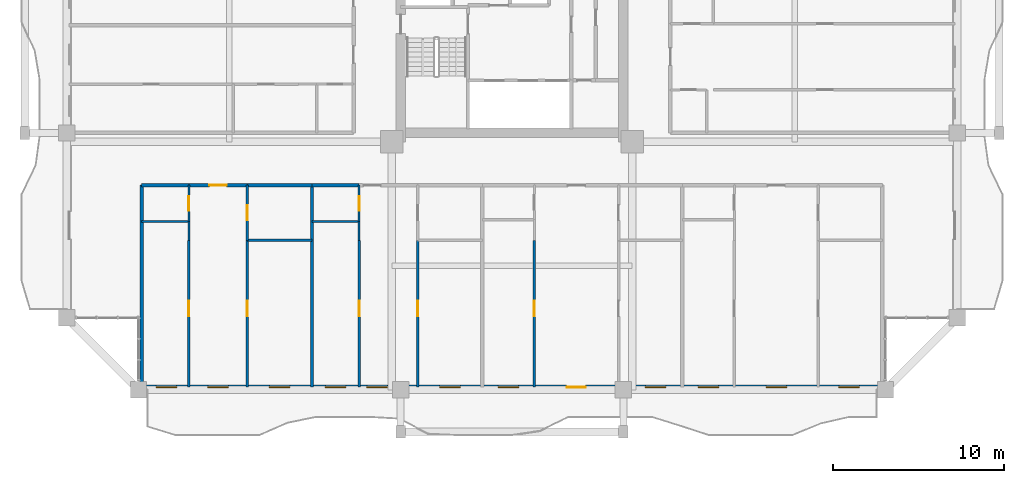
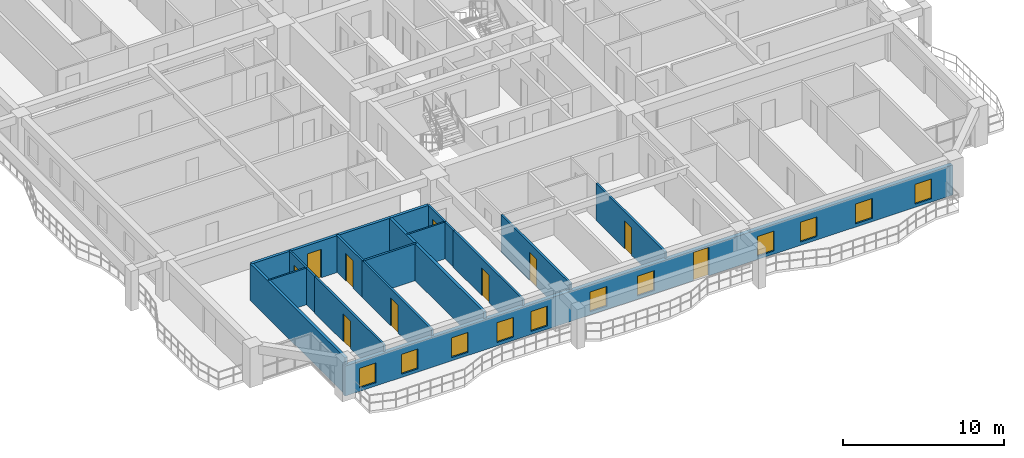
# One storey, part 14 of 26: 20 walls, 11 windows, 10 doors, 21 openings.
"""IFC4 building model written with IfcOpenShell, lengths in metres."""

from ifc_helpers import new_model, si_unit, direction, frame, frame_2d, origin, place, context, subcontext, project, spatial, rectangle, extrude, source, transform, mapped, material, layer, layer_set, type_object, element, fill, save


model = new_model("IFC4")

# Units and contexts
model_context = context("Model", 3, precision=1e-05, world=origin(), true_north=direction((0.0, 1.0)))
body_context = subcontext(model_context, "Body", "Model", "MODEL_VIEW")
ifc_project = project(units=[si_unit("LENGTHUNIT", "METRE"), si_unit("AREAUNIT", "SQUARE_METRE"), si_unit("VOLUMEUNIT", "CUBIC_METRE"), si_unit("PLANEANGLEUNIT", "RADIAN"), si_unit("MASSUNIT", "GRAM", prefix="KILO")], contexts=[model_context])

# Site, building, storey
site_placement = place(None, origin())
site = spatial("IfcSite", under=ifc_project, at=site_placement, CompositionType="ELEMENT")
building_placement = place(site_placement, origin())
building = spatial("IfcBuilding", under=site, at=building_placement, Name="Saelheon Loggia Tower", CompositionType="ELEMENT")
storey_placement = place(building_placement, frame((0.0, 0.0, 89.85009765625)))
storey = spatial("IfcBuildingStorey", under=building, at=storey_placement, Name="L28", CompositionType="ELEMENT", Elevation=89.85009765625)

# Wall, openings, windows, door
ifc_material_1 = material(Name="Architectural Precast Concrete C40/50", Category="concrete")
ifc_layer_1 = layer(ifc_material_1, 0.280029296875)
ifc_layer_set_1 = layer_set([ifc_layer_1], Name="Architectural Precast Concrete C40/50")
wall_type_1 = type_object("IfcWallType", Name="Wall_Ext_Loggia_280", PredefinedType="SOLIDWALL", material=ifc_layer_set_1)
wall_1_placement = place(storey_placement, frame((16.199951171875, 3.139892578125, 0.0), z_axis=(0.0, 0.0, 1.0), x_axis=(1.0, 0.0, 0.0)))
wall_1 = element("IfcWall", 1, at=wall_1_placement, inside=storey, type_object=wall_type_1, Name="L28 South Loggia Inner Wall", PredefinedType="SOLIDWALL", context=body_context, shape_type="SweptSolid", body=[
    extrude(rectangle(XDim=43.60009765625, YDim=0.280029296875, at=frame_2d((21.800048828125, 0.0))), origin(), (0.0, 0.0, 1.0), 2.27978515625),
])
opening_1_placement = place(wall_1_placement, frame((1.0224609375, 0.0, 0.25)))
opening_1 = element("IfcOpeningElement", 2, at=opening_1_placement, cuts=wall_1, Name="Opening WN-03", PredefinedType="OPENING", context=body_context, shape_type="SweptSolid", body=[
    extrude(rectangle(XDim=1.199951171875, YDim=1.5, at=frame_2d((0.60009765625, 0.75))), frame((0.0, 0.152099609375, 0.0), z_axis=(0.0, -1.0, 0.0), x_axis=(1.0, 0.0, 0.0)), (0.0, 0.0, 1.0), 0.303955078125),
])
opening_2_placement = place(wall_1_placement, frame((4.0380859375, 0.0, 0.25)))
opening_2 = element("IfcOpeningElement", 3, at=opening_2_placement, cuts=wall_1, Name="Opening WN-03", PredefinedType="OPENING", context=body_context, shape_type="SweptSolid", body=[
    extrude(rectangle(XDim=1.199951171875, YDim=1.5, at=frame_2d((0.60009765625, 0.75))), frame((0.0, 0.152099609375, 0.0), z_axis=(0.0, -1.0, 0.0), x_axis=(1.0, 0.0, 0.0)), (0.0, 0.0, 1.0), 0.303955078125),
])
opening_3_placement = place(wall_1_placement, frame((7.635498046875, 0.0, 0.25)))
opening_3 = element("IfcOpeningElement", 4, at=opening_3_placement, cuts=wall_1, Name="Opening WN-03", PredefinedType="OPENING", context=body_context, shape_type="SweptSolid", body=[
    extrude(rectangle(XDim=1.199951171875, YDim=1.5, at=frame_2d((0.60009765625, 0.75))), frame((0.0, 0.152099609375, 0.0), z_axis=(0.0, -1.0, 0.0), x_axis=(1.0, 0.0, 0.0)), (0.0, 0.0, 1.0), 0.303955078125),
])
opening_4_placement = place(wall_1_placement, frame((10.900146484375, 0.0, 0.25)))
opening_4 = element("IfcOpeningElement", 5, at=opening_4_placement, cuts=wall_1, Name="Opening WN-03", PredefinedType="OPENING", context=body_context, shape_type="SweptSolid", body=[
    extrude(rectangle(XDim=1.199951171875, YDim=1.5, at=frame_2d((0.60009765625, 0.75))), frame((0.0, 0.152099609375, 0.0), z_axis=(0.0, -1.0, 0.0), x_axis=(1.0, 0.0, 0.0)), (0.0, 0.0, 1.0), 0.303955078125),
])
opening_5_placement = place(wall_1_placement, frame((13.330078125, 0.0, 0.25)))
opening_5 = element("IfcOpeningElement", 6, at=opening_5_placement, cuts=wall_1, Name="Opening WN-03", PredefinedType="OPENING", context=body_context, shape_type="SweptSolid", body=[
    extrude(rectangle(XDim=1.199951171875, YDim=1.5, at=frame_2d((0.60009765625, 0.75))), frame((0.0, 0.152099609375, 0.0), z_axis=(0.0, -1.0, 0.0), x_axis=(1.0, 0.0, 0.0)), (0.0, 0.0, 1.0), 0.303955078125),
])
opening_6_placement = place(wall_1_placement, frame((17.580810546875, 0.0, 0.25)))
opening_6 = element("IfcOpeningElement", 7, at=opening_6_placement, cuts=wall_1, Name="Opening WN-03", PredefinedType="OPENING", context=body_context, shape_type="SweptSolid", body=[
    extrude(rectangle(XDim=1.199951171875, YDim=1.5, at=frame_2d((0.60009765625, 0.75))), frame((0.0, 0.152099609375, 0.0), z_axis=(0.0, -1.0, 0.0), x_axis=(1.0, 0.0, 0.0)), (0.0, 0.0, 1.0), 0.303955078125),
])
opening_7_placement = place(wall_1_placement, frame((20.988037109375, 0.0, 0.25)))
opening_7 = element("IfcOpeningElement", 8, at=opening_7_placement, cuts=wall_1, Name="Opening WN-03", PredefinedType="OPENING", context=body_context, shape_type="SweptSolid", body=[
    extrude(rectangle(XDim=1.199951171875, YDim=1.5, at=frame_2d((0.60009765625, 0.75))), frame((0.0, 0.152099609375, 0.0), z_axis=(0.0, -1.0, 0.0), x_axis=(1.0, 0.0, 0.0)), (0.0, 0.0, 1.0), 0.303955078125),
])
opening_8_placement = place(wall_1_placement, frame((26.095458984375, 0.0, 0.0), z_axis=(0.0, 0.0, 1.0), x_axis=(-1.0, 0.0, 0.0)))
opening_8 = element("IfcOpeningElement", 9, at=opening_8_placement, cuts=wall_1, Name="Opening TD1", PredefinedType="OPENING", context=body_context, shape_type="SweptSolid", body=[
    extrude(rectangle(XDim=1.10009765625, YDim=2.14990234375, at=frame_2d((0.550048828125, 1.074951171875))), frame((0.0, 0.152099609375, 0.0), z_axis=(0.0, -1.0, 0.0), x_axis=(1.0, 0.0, 0.0)), (0.0, 0.0, 1.0), 0.303955078125),
])
opening_9_placement = place(wall_1_placement, frame((29.580078125, 0.0, 0.25)))
opening_9 = element("IfcOpeningElement", 10, at=opening_9_placement, cuts=wall_1, Name="Opening WN-03", PredefinedType="OPENING", context=body_context, shape_type="SweptSolid", body=[
    extrude(rectangle(XDim=1.199951171875, YDim=1.5, at=frame_2d((0.60009765625, 0.75))), frame((0.0, 0.152099609375, 0.0), z_axis=(0.0, -1.0, 0.0), x_axis=(1.0, 0.0, 0.0)), (0.0, 0.0, 1.0), 0.303955078125),
])
opening_10_placement = place(wall_1_placement, frame((32.662841796875, 0.0, 0.25)))
opening_10 = element("IfcOpeningElement", 11, at=opening_10_placement, cuts=wall_1, Name="Opening WN-03", PredefinedType="OPENING", context=body_context, shape_type="SweptSolid", body=[
    extrude(rectangle(XDim=1.199951171875, YDim=1.5, at=frame_2d((0.60009765625, 0.75))), frame((0.0, 0.152099609375, 0.0), z_axis=(0.0, -1.0, 0.0), x_axis=(1.0, 0.0, 0.0)), (0.0, 0.0, 1.0), 0.303955078125),
])
opening_11_placement = place(wall_1_placement, frame((36.63232421875, 0.0, 0.25)))
opening_11 = element("IfcOpeningElement", 12, at=opening_11_placement, cuts=wall_1, Name="Opening WN-03", PredefinedType="OPENING", context=body_context, shape_type="SweptSolid", body=[
    extrude(rectangle(XDim=1.199951171875, YDim=1.5, at=frame_2d((0.60009765625, 0.75))), frame((0.0, 0.152099609375, 0.0), z_axis=(0.0, -1.0, 0.0), x_axis=(1.0, 0.0, 0.0)), (0.0, 0.0, 1.0), 0.303955078125),
])
opening_12_placement = place(wall_1_placement, frame((40.884521484375, 0.0, 0.25)))
opening_12 = element("IfcOpeningElement", 13, at=opening_12_placement, cuts=wall_1, Name="Opening WN-03", PredefinedType="OPENING", context=body_context, shape_type="SweptSolid", body=[
    extrude(rectangle(XDim=1.199951171875, YDim=1.5, at=frame_2d((0.60009765625, 0.75))), frame((0.0, 0.152099609375, 0.0), z_axis=(0.0, -1.0, 0.0), x_axis=(1.0, 0.0, 0.0)), (0.0, 0.0, 1.0), 0.303955078125),
])
ifc_material_2 = material(Name="Thermal-Break Aluminium and Triple Low-E Glass", Category="aluminium")
window_type = type_object("IfcWindowType", Name="Win_Bedroom_1200x1500", PartitioningType="SINGLE_PANEL", PredefinedType="WINDOW", material=ifc_material_2)
shared_shape_1 = source(origin(), body_context, "Body", "SweptSolid", [
    extrude(rectangle(XDim=1.199951171875, YDim=1.5, at=frame_2d((0.60009765625, 0.75))), frame((0.0, 0.030029296875, 0.0), z_axis=(0.0, -1.0, 0.0), x_axis=(1.0, 0.0, 0.0)), (0.0, 0.0, 1.0), 0.06005859375),
])
window_1_placement = place(opening_1_placement, origin())
window_1 = element("IfcWindow", 14, at=window_1_placement, inside=storey, type_object=window_type, Name="L28 S Dwelling Window 1", OverallHeight=1.5, OverallWidth=1.199951171875, PartitioningType="SINGLE_PANEL", PredefinedType="WINDOW", context=body_context, shape_type="MappedRepresentation", body=[
    mapped(shared_shape_1, transform((0.0, 0.0, 0.0), scale=1.0)),
])
fill(opening_1, window_1)
window_2_placement = place(opening_2_placement, origin())
window_2 = element("IfcWindow", 15, at=window_2_placement, inside=storey, type_object=window_type, Name="L28 S Dwelling Window 2", OverallHeight=1.5, OverallWidth=1.199951171875, PartitioningType="SINGLE_PANEL", PredefinedType="WINDOW", context=body_context, shape_type="MappedRepresentation", body=[
    mapped(shared_shape_1, transform((0.0, 0.0, 0.0), scale=1.0)),
])
fill(opening_2, window_2)
window_3_placement = place(opening_3_placement, origin())
window_3 = element("IfcWindow", 16, at=window_3_placement, inside=storey, type_object=window_type, Name="L28 S Dwelling Window 3", OverallHeight=1.5, OverallWidth=1.199951171875, PartitioningType="SINGLE_PANEL", PredefinedType="WINDOW", context=body_context, shape_type="MappedRepresentation", body=[
    mapped(shared_shape_1, transform((0.0, 0.0, 0.0), scale=1.0)),
])
fill(opening_3, window_3)
window_4_placement = place(opening_4_placement, origin())
window_4 = element("IfcWindow", 17, at=window_4_placement, inside=storey, type_object=window_type, Name="L28 S Dwelling Window 4", OverallHeight=1.5, OverallWidth=1.199951171875, PartitioningType="SINGLE_PANEL", PredefinedType="WINDOW", context=body_context, shape_type="MappedRepresentation", body=[
    mapped(shared_shape_1, transform((0.0, 0.0, 0.0), scale=1.0)),
])
fill(opening_4, window_4)
window_5_placement = place(opening_5_placement, origin())
window_5 = element("IfcWindow", 18, at=window_5_placement, inside=storey, type_object=window_type, Name="L28 S Dwelling Window 5", OverallHeight=1.5, OverallWidth=1.199951171875, PartitioningType="SINGLE_PANEL", PredefinedType="WINDOW", context=body_context, shape_type="MappedRepresentation", body=[
    mapped(shared_shape_1, transform((0.0, 0.0, 0.0), scale=1.0)),
])
fill(opening_5, window_5)
window_6_placement = place(opening_6_placement, origin())
window_6 = element("IfcWindow", 19, at=window_6_placement, inside=storey, type_object=window_type, Name="L28 S Dwelling Window 6", OverallHeight=1.5, OverallWidth=1.199951171875, PartitioningType="SINGLE_PANEL", PredefinedType="WINDOW", context=body_context, shape_type="MappedRepresentation", body=[
    mapped(shared_shape_1, transform((0.0, 0.0, 0.0), scale=1.0)),
])
fill(opening_6, window_6)
window_7_placement = place(opening_7_placement, origin())
window_7 = element("IfcWindow", 20, at=window_7_placement, inside=storey, type_object=window_type, Name="L28 S Dwelling Window 7", OverallHeight=1.5, OverallWidth=1.199951171875, PartitioningType="SINGLE_PANEL", PredefinedType="WINDOW", context=body_context, shape_type="MappedRepresentation", body=[
    mapped(shared_shape_1, transform((0.0, 0.0, 0.0), scale=1.0)),
])
fill(opening_7, window_7)
window_8_placement = place(opening_9_placement, origin())
window_8 = element("IfcWindow", 21, at=window_8_placement, inside=storey, type_object=window_type, Name="L28 S Dwelling Window 9", OverallHeight=1.5, OverallWidth=1.199951171875, PartitioningType="SINGLE_PANEL", PredefinedType="WINDOW", context=body_context, shape_type="MappedRepresentation", body=[
    mapped(shared_shape_1, transform((0.0, 0.0, 0.0), scale=1.0)),
])
fill(opening_9, window_8)
window_9_placement = place(opening_10_placement, origin())
window_9 = element("IfcWindow", 22, at=window_9_placement, inside=storey, type_object=window_type, Name="L28 S Dwelling Window 10", OverallHeight=1.5, OverallWidth=1.199951171875, PartitioningType="SINGLE_PANEL", PredefinedType="WINDOW", context=body_context, shape_type="MappedRepresentation", body=[
    mapped(shared_shape_1, transform((0.0, 0.0, 0.0), scale=1.0)),
])
fill(opening_10, window_9)
window_10_placement = place(opening_11_placement, origin())
window_10 = element("IfcWindow", 23, at=window_10_placement, inside=storey, type_object=window_type, Name="L28 S Dwelling Window 11", OverallHeight=1.5, OverallWidth=1.199951171875, PartitioningType="SINGLE_PANEL", PredefinedType="WINDOW", context=body_context, shape_type="MappedRepresentation", body=[
    mapped(shared_shape_1, transform((0.0, 0.0, 0.0), scale=1.0)),
])
fill(opening_11, window_10)
window_11_placement = place(opening_12_placement, origin())
window_11 = element("IfcWindow", 24, at=window_11_placement, inside=storey, type_object=window_type, Name="L28 S Dwelling Window 12", OverallHeight=1.5, OverallWidth=1.199951171875, PartitioningType="SINGLE_PANEL", PredefinedType="WINDOW", context=body_context, shape_type="MappedRepresentation", body=[
    mapped(shared_shape_1, transform((0.0, 0.0, 0.0), scale=1.0)),
])
fill(opening_12, window_11)
ifc_material_3 = material(Name="Thermal-Break Aluminium Glazed Door", Category="aluminium")
door_type_1 = type_object("IfcDoorType", Name="Door_Terrace_TD1", OperationType="NOTDEFINED", PredefinedType="DOOR", material=ifc_material_3)
shared_shape_2 = source(origin(), body_context, "Body", "SweptSolid", [
    extrude(rectangle(XDim=1.10009765625, YDim=2.14990234375, at=frame_2d((0.550048828125, 1.074951171875))), frame((0.0, 0.02490234375, 0.0), z_axis=(0.0, -1.0, 0.0), x_axis=(1.0, 0.0, 0.0)), (0.0, 0.0, 1.0), 0.050048828125),
])
door_1_placement = place(opening_8_placement, origin())
door_1 = element("IfcDoor", 25, at=door_1_placement, inside=storey, type_object=door_type_1, Name="L28 S Loggia Access Door", OperationType="SINGLE_SWING_RIGHT", OverallHeight=2.14990234375, OverallWidth=1.10009765625, PredefinedType="DOOR", context=body_context, shape_type="MappedRepresentation", body=[
    mapped(shared_shape_2, transform((0.0, 0.0, 0.0), scale=1.0)),
])
fill(opening_8, door_1)

# Wall
ifc_material_4 = material(Name="Lightweight Autoclaved Aerated Concrete Block and Acoustic Gypsum", Category="concrete")
ifc_layer_2 = layer(ifc_material_4, 0.14990234375)
ifc_layer_set_2 = layer_set([ifc_layer_2], Name="Lightweight Autoclaved Aerated Concrete Block and Acoustic Gypsum")
wall_type_2 = type_object("IfcWallType", Name="Wall_Part_150", PredefinedType="PARTITIONING", material=ifc_layer_set_2)
wall_2_placement = place(storey_placement, frame((22.5458984375, 11.72998046875, 0.0), z_axis=(0.0, 0.0, 1.0), x_axis=(1.0, 0.0, 0.0)))
element("IfcWall", 26, at=wall_2_placement, inside=storey, type_object=wall_type_2, Name="L28 S Partition V07", PredefinedType="PARTITIONING", context=body_context, shape_type="SweptSolid", body=[
    extrude(rectangle(XDim=3.779296875, YDim=0.14990234375, at=frame_2d((1.8896484375, 0.0))), origin(), (0.0, 0.0, 1.0), 2.789794921875),
])

# Wall, opening, door
wall_3_placement = place(storey_placement, frame((19.1298828125, 11.72998046875, 0.0), z_axis=(0.0, 0.0, 1.0), x_axis=(0.0, -1.0, 0.0)))
wall_3 = element("IfcWall", 27, at=wall_3_placement, inside=storey, type_object=wall_type_2, Name="L28 S Partition U10", PredefinedType="PARTITIONING", context=body_context, shape_type="SweptSolid", body=[
    extrude(rectangle(XDim=8.580078125, YDim=0.14990234375, at=frame_2d((4.2900390625, 0.0))), origin(), (0.0, 0.0, 1.0), 2.789794921875),
])
opening_13_placement = place(wall_3_placement, frame((3.5400390625, 0.0, 0.0)))
opening_13 = element("IfcOpeningElement", 28, at=opening_13_placement, cuts=wall_3, Name="Opening D-IN2", PredefinedType="OPENING", context=body_context, shape_type="SweptSolid", body=[
    extrude(rectangle(XDim=0.89990234375, YDim=2.10009765625, at=frame_2d((0.449951171875, 1.050048828125))), frame((0.0, 0.0869140625, 0.0), z_axis=(0.0, -1.0, 0.0), x_axis=(1.0, 0.0, 0.0)), (0.0, 0.0, 1.0), 0.173828125),
])
ifc_material_5 = material(Name="Engineered Oak Flush Door", Category="timber")
door_type_2 = type_object("IfcDoorType", Name="Door_Int_900", OperationType="NOTDEFINED", PredefinedType="DOOR", material=ifc_material_5)
shared_shape_3 = source(origin(), body_context, "Body", "SweptSolid", [
    extrude(rectangle(XDim=0.89990234375, YDim=2.10009765625, at=frame_2d((0.449951171875, 1.050048828125))), frame((0.0, 0.02490234375, 0.0), z_axis=(0.0, -1.0, 0.0), x_axis=(1.0, 0.0, 0.0)), (0.0, 0.0, 1.0), 0.050048828125),
])
door_2_placement = place(opening_13_placement, origin())
door_2 = element("IfcDoor", 29, at=door_2_placement, inside=storey, type_object=door_type_2, Name="Unit U01 Kitchen Door", OperationType="SINGLE_SWING_LEFT", OverallHeight=2.10009765625, OverallWidth=0.89990234375, PredefinedType="DOOR", context=body_context, shape_type="MappedRepresentation", body=[
    mapped(shared_shape_3, transform((0.0, 0.0, 0.0), scale=1.0)),
])
fill(opening_13, door_2)

wall_4_placement = place(storey_placement, frame((22.5458984375, 14.949951171875, 0.0), z_axis=(0.0, 0.0, 1.0), x_axis=(0.0, -1.0, 0.0)))
wall_4 = element("IfcWall", 30, at=wall_4_placement, inside=storey, type_object=wall_type_2, Name="L28 S Partition U11", PredefinedType="PARTITIONING", context=body_context, shape_type="SweptSolid", body=[
    extrude(rectangle(XDim=3.219970703125, YDim=0.14990234375, at=frame_2d((1.60986328125, 0.0))), origin(), (0.0, 0.0, 1.0), 2.789794921875),
])
opening_14_placement = place(wall_4_placement, frame((1.159912109375, 0.0, 0.0)))
opening_14 = element("IfcOpeningElement", 31, at=opening_14_placement, cuts=wall_4, Name="Opening D-IN2", PredefinedType="OPENING", context=body_context, shape_type="SweptSolid", body=[
    extrude(rectangle(XDim=0.89990234375, YDim=2.10009765625, at=frame_2d((0.449951171875, 1.050048828125))), frame((0.0, 0.0869140625, 0.0), z_axis=(0.0, -1.0, 0.0), x_axis=(1.0, 0.0, 0.0)), (0.0, 0.0, 1.0), 0.173828125),
])
door_3_placement = place(opening_14_placement, origin())
door_3 = element("IfcDoor", 32, at=door_3_placement, inside=storey, type_object=door_type_2, Name="Unit U01 Home Office Door", OperationType="SINGLE_SWING_RIGHT", OverallHeight=2.10009765625, OverallWidth=0.89990234375, PredefinedType="DOOR", context=body_context, shape_type="MappedRepresentation", body=[
    mapped(shared_shape_3, transform((0.0, 0.0, 0.0), scale=1.0)),
])
fill(opening_14, door_3)

wall_5_placement = place(storey_placement, frame((22.5458984375, 11.72998046875, 0.0), z_axis=(0.0, 0.0, 1.0), x_axis=(0.0, -1.0, 0.0)))
wall_5 = element("IfcWall", 33, at=wall_5_placement, inside=storey, type_object=wall_type_2, Name="L28 S Partition U12", PredefinedType="PARTITIONING", context=body_context, shape_type="SweptSolid", body=[
    extrude(rectangle(XDim=8.580078125, YDim=0.14990234375, at=frame_2d((4.2900390625, 0.0))), origin(), (0.0, 0.0, 1.0), 2.789794921875),
])
opening_15_placement = place(wall_5_placement, frame((3.5400390625, 0.0, 0.0)))
opening_15 = element("IfcOpeningElement", 34, at=opening_15_placement, cuts=wall_5, Name="Opening D-IN2", PredefinedType="OPENING", context=body_context, shape_type="SweptSolid", body=[
    extrude(rectangle(XDim=0.89990234375, YDim=2.10009765625, at=frame_2d((0.449951171875, 1.050048828125))), frame((0.0, 0.0869140625, 0.0), z_axis=(0.0, -1.0, 0.0), x_axis=(1.0, 0.0, 0.0)), (0.0, 0.0, 1.0), 0.173828125),
])
door_4_placement = place(opening_15_placement, origin())
door_4 = element("IfcDoor", 35, at=door_4_placement, inside=storey, type_object=door_type_2, Name="Unit U01 Bedroom 1 Door", OperationType="SINGLE_SWING_LEFT", OverallHeight=2.10009765625, OverallWidth=0.89990234375, PredefinedType="DOOR", context=body_context, shape_type="MappedRepresentation", body=[
    mapped(shared_shape_3, transform((0.0, 0.0, 0.0), scale=1.0)),
])
fill(opening_15, door_4)

wall_6_placement = place(storey_placement, frame((29.0751953125, 11.72998046875, 0.0), z_axis=(0.0, 0.0, 1.0), x_axis=(0.0, -1.0, 0.0)))
wall_6 = element("IfcWall", 36, at=wall_6_placement, inside=storey, type_object=wall_type_2, Name="L28 S Partition U21", PredefinedType="PARTITIONING", context=body_context, shape_type="SweptSolid", body=[
    extrude(rectangle(XDim=8.580078125, YDim=0.14990234375, at=frame_2d((4.2900390625, 0.0))), origin(), (0.0, 0.0, 1.0), 2.789794921875),
])
opening_16_placement = place(wall_6_placement, frame((3.5400390625, 0.0, 0.0)))
opening_16 = element("IfcOpeningElement", 37, at=opening_16_placement, cuts=wall_6, Name="Opening D-IN2", PredefinedType="OPENING", context=body_context, shape_type="SweptSolid", body=[
    extrude(rectangle(XDim=0.89990234375, YDim=2.10009765625, at=frame_2d((0.449951171875, 1.050048828125))), frame((0.0, 0.0869140625, 0.0), z_axis=(0.0, -1.0, 0.0), x_axis=(1.0, 0.0, 0.0)), (0.0, 0.0, 1.0), 0.173828125),
])
door_5_placement = place(opening_16_placement, origin())
door_5 = element("IfcDoor", 38, at=door_5_placement, inside=storey, type_object=door_type_2, Name="Unit U02 Kitchen Door", OperationType="SINGLE_SWING_RIGHT", OverallHeight=2.10009765625, OverallWidth=0.89990234375, PredefinedType="DOOR", context=body_context, shape_type="MappedRepresentation", body=[
    mapped(shared_shape_3, transform((0.0, 0.0, 0.0), scale=1.0)),
])
fill(opening_16, door_5)

wall_7_placement = place(storey_placement, frame((32.4912109375, 11.72998046875, 0.0), z_axis=(0.0, 0.0, 1.0), x_axis=(0.0, -1.0, 0.0)))
wall_7 = element("IfcWall", 39, at=wall_7_placement, inside=storey, type_object=wall_type_2, Name="L28 S Partition U23", PredefinedType="PARTITIONING", context=body_context, shape_type="SweptSolid", body=[
    extrude(rectangle(XDim=8.580078125, YDim=0.14990234375, at=frame_2d((4.2900390625, 0.0))), origin(), (0.0, 0.0, 1.0), 2.789794921875),
])
opening_17_placement = place(wall_7_placement, frame((3.5400390625, 0.0, 0.0)))
opening_17 = element("IfcOpeningElement", 40, at=opening_17_placement, cuts=wall_7, Name="Opening D-IN2", PredefinedType="OPENING", context=body_context, shape_type="SweptSolid", body=[
    extrude(rectangle(XDim=0.89990234375, YDim=2.10009765625, at=frame_2d((0.449951171875, 1.050048828125))), frame((0.0, 0.0869140625, 0.0), z_axis=(0.0, -1.0, 0.0), x_axis=(1.0, 0.0, 0.0)), (0.0, 0.0, 1.0), 0.173828125),
])
door_6_placement = place(opening_17_placement, origin())
door_6 = element("IfcDoor", 41, at=door_6_placement, inside=storey, type_object=door_type_2, Name="Unit U02 Bedroom 1 Door", OperationType="SINGLE_SWING_RIGHT", OverallHeight=2.10009765625, OverallWidth=0.89990234375, PredefinedType="DOOR", context=body_context, shape_type="MappedRepresentation", body=[
    mapped(shared_shape_3, transform((0.0, 0.0, 0.0), scale=1.0)),
])
fill(opening_17, door_6)

wall_8_placement = place(storey_placement, frame((39.305908203125, 11.72998046875, 0.0), z_axis=(0.0, 0.0, 1.0), x_axis=(0.0, -1.0, 0.0)))
wall_8 = element("IfcWall", 42, at=wall_8_placement, inside=storey, type_object=wall_type_2, Name="L28 S Partition U32", PredefinedType="PARTITIONING", context=body_context, shape_type="SweptSolid", body=[
    extrude(rectangle(XDim=8.580078125, YDim=0.14990234375, at=frame_2d((4.2900390625, 0.0))), origin(), (0.0, 0.0, 1.0), 2.789794921875),
])
opening_18_placement = place(wall_8_placement, frame((3.5400390625, 0.0, 0.0)))
opening_18 = element("IfcOpeningElement", 43, at=opening_18_placement, cuts=wall_8, Name="Opening D-IN2", PredefinedType="OPENING", context=body_context, shape_type="SweptSolid", body=[
    extrude(rectangle(XDim=0.89990234375, YDim=2.10009765625, at=frame_2d((0.449951171875, 1.050048828125))), frame((0.0, 0.0869140625, 0.0), z_axis=(0.0, -1.0, 0.0), x_axis=(1.0, 0.0, 0.0)), (0.0, 0.0, 1.0), 0.173828125),
])
door_7_placement = place(opening_18_placement, origin())
door_7 = element("IfcDoor", 44, at=door_7_placement, inside=storey, type_object=door_type_2, Name="Unit U03 Bedroom 2 Door", OperationType="SINGLE_SWING_LEFT", OverallHeight=2.10009765625, OverallWidth=0.89990234375, PredefinedType="DOOR", context=body_context, shape_type="MappedRepresentation", body=[
    mapped(shared_shape_3, transform((0.0, 0.0, 0.0), scale=1.0)),
])
fill(opening_18, door_7)

# Walls
ifc_material_6 = material(Name="Double Acoustic Stud and Fireboard Partition", Category="gypsum")
ifc_layer_3 = layer(ifc_material_6, 0.199951171875)
ifc_layer_set_3 = layer_set([ifc_layer_3], Name="Double Acoustic Stud and Fireboard Partition")
wall_type_3 = type_object("IfcWallType", Name="Wall_Party_200", PredefinedType="PARTITIONING", material=ifc_layer_set_3)
wall_9_placement = place(storey_placement, frame((16.3798828125, 14.949951171875, 0.0), z_axis=(0.0, 0.0, 1.0), x_axis=(0.0, -1.0, 0.0)))
element("IfcWall", 45, at=wall_9_placement, inside=storey, type_object=wall_type_3, Name="L28 S Partition U01", PredefinedType="PARTITIONING", context=body_context, shape_type="SweptSolid", body=[
    extrude(rectangle(XDim=11.800048828125, YDim=0.199951171875, at=frame_2d((5.89990234375, 0.0))), origin(), (0.0, 0.0, 1.0), 2.789794921875),
])
wall_10_placement = place(storey_placement, frame((16.3798828125, 14.949951171875, 0.0), z_axis=(0.0, 0.0, 1.0), x_axis=(1.0, 0.0, 0.0)))
element("IfcWall", 46, at=wall_10_placement, inside=storey, type_object=wall_type_3, Name="L28 S Partition V03", PredefinedType="PARTITIONING", context=body_context, shape_type="SweptSolid", body=[
    extrude(rectangle(XDim=2.75, YDim=0.199951171875, at=frame_2d((1.375, 0.0))), origin(), (0.0, 0.0, 1.0), 2.789794921875),
])

# Wall, opening, door
wall_11_placement = place(storey_placement, frame((19.1298828125, 14.949951171875, 0.0), z_axis=(0.0, 0.0, 1.0), x_axis=(1.0, 0.0, 0.0)))
wall_11 = element("IfcWall", 47, at=wall_11_placement, inside=storey, type_object=wall_type_3, Name="L28 S Partition V04", PredefinedType="PARTITIONING", context=body_context, shape_type="SweptSolid", body=[
    extrude(rectangle(XDim=3.416015625, YDim=0.199951171875, at=frame_2d((1.7080078125, 0.0))), origin(), (0.0, 0.0, 1.0), 2.789794921875),
])
opening_19_placement = place(wall_11_placement, frame((1.2080078125, 0.0, 0.0)))
opening_19 = element("IfcOpeningElement", 48, at=opening_19_placement, cuts=wall_11, Name="Opening D-FD1", PredefinedType="OPENING", context=body_context, shape_type="SweptSolid", body=[
    extrude(rectangle(XDim=1.0, YDim=2.14990234375, at=frame_2d((0.5, 1.074951171875))), frame((0.0, 0.112060546875, 0.0), z_axis=(0.0, -1.0, 0.0), x_axis=(1.0, 0.0, 0.0)), (0.0, 0.0, 1.0), 0.223876953125),
])
ifc_material_7 = material(Name="Fire-Rated Engineered Timber Entrance Door", Category="wood")
door_type_3 = type_object("IfcDoorType", Name="Door_Flat_FD30S", OperationType="NOTDEFINED", PredefinedType="DOOR", material=ifc_material_7)
shared_shape_4 = source(origin(), body_context, "Body", "SweptSolid", [
    extrude(rectangle(XDim=1.0, YDim=2.14990234375, at=frame_2d((0.5, 1.074951171875))), frame((0.0, 0.02490234375, 0.0), z_axis=(0.0, -1.0, 0.0), x_axis=(1.0, 0.0, 0.0)), (0.0, 0.0, 1.0), 0.050048828125),
])
door_8_placement = place(opening_19_placement, origin())
door_8 = element("IfcDoor", 49, at=door_8_placement, inside=storey, type_object=door_type_3, Name="Unit U01 Entrance Door", OperationType="SINGLE_SWING_LEFT", OverallHeight=2.14990234375, OverallWidth=1.0, PredefinedType="DOOR", context=body_context, shape_type="MappedRepresentation", body=[
    mapped(shared_shape_4, transform((0.0, 0.0, 0.0), scale=1.0)),
])
fill(opening_19, door_8)

# Walls
wall_12_placement = place(storey_placement, frame((22.5458984375, 14.949951171875, 0.0), z_axis=(0.0, 0.0, 1.0), x_axis=(1.0, 0.0, 0.0)))
element("IfcWall", 50, at=wall_12_placement, inside=storey, type_object=wall_type_3, Name="L28 S Partition V05", PredefinedType="PARTITIONING", context=body_context, shape_type="SweptSolid", body=[
    extrude(rectangle(XDim=3.779296875, YDim=0.199951171875, at=frame_2d((1.8896484375, 0.0))), origin(), (0.0, 0.0, 1.0), 2.789794921875),
])
wall_13_placement = place(storey_placement, frame((26.3251953125, 14.949951171875, 0.0), z_axis=(0.0, 0.0, 1.0), x_axis=(0.0, -1.0, 0.0)))
element("IfcWall", 51, at=wall_13_placement, inside=storey, type_object=wall_type_3, Name="L28 S Partition U13", PredefinedType="PARTITIONING", context=body_context, shape_type="SweptSolid", body=[
    extrude(rectangle(XDim=11.800048828125, YDim=0.199951171875, at=frame_2d((5.89990234375, 0.0))), origin(), (0.0, 0.0, 1.0), 2.789794921875),
])
wall_14_placement = place(storey_placement, frame((26.3251953125, 14.949951171875, 0.0), z_axis=(0.0, 0.0, 1.0), x_axis=(1.0, 0.0, 0.0)))
element("IfcWall", 52, at=wall_14_placement, inside=storey, type_object=wall_type_3, Name="L28 S Partition V14", PredefinedType="PARTITIONING", context=body_context, shape_type="SweptSolid", body=[
    extrude(rectangle(XDim=2.75, YDim=0.199951171875, at=frame_2d((1.375, 0.0))), origin(), (0.0, 0.0, 1.0), 2.789794921875),
])
ifc_material_8 = material(Name="Moisture-Resistant Cement Board Partition", Category="gypsum")
ifc_layer_4 = layer(ifc_material_8, 0.1201171875)
ifc_layer_set_4 = layer_set([ifc_layer_4], Name="Moisture-Resistant Cement Board Partition")
wall_type_4 = type_object("IfcWallType", Name="Wall_WetPart_120", PredefinedType="PARTITIONING", material=ifc_layer_set_4)
wall_15_placement = place(storey_placement, frame((16.3798828125, 12.830078125, 0.0), z_axis=(0.0, 0.0, 1.0), x_axis=(1.0, 0.0, 0.0)))
element("IfcWall", 53, at=wall_15_placement, inside=storey, type_object=wall_type_4, Name="L28 S Partition V06", PredefinedType="PARTITIONING", context=body_context, shape_type="SweptSolid", body=[
    extrude(rectangle(XDim=2.75, YDim=0.1201171875, at=frame_2d((1.375, 0.0))), origin(), (0.0, 0.0, 1.0), 2.789794921875),
])

# Wall, opening, door
wall_16_placement = place(storey_placement, frame((19.1298828125, 14.949951171875, 0.0), z_axis=(0.0, 0.0, 1.0), x_axis=(0.0, -1.0, 0.0)))
wall_16 = element("IfcWall", 54, at=wall_16_placement, inside=storey, type_object=wall_type_4, Name="L28 S Partition U08", PredefinedType="PARTITIONING", context=body_context, shape_type="SweptSolid", body=[
    extrude(rectangle(XDim=2.119873046875, YDim=0.1201171875, at=frame_2d((1.06005859375, 0.0))), origin(), (0.0, 0.0, 1.0), 2.789794921875),
])
opening_20_placement = place(wall_16_placement, frame((0.635009765625, 0.0, 0.0)))
opening_20 = element("IfcOpeningElement", 55, at=opening_20_placement, cuts=wall_16, Name="Opening D-BT1", PredefinedType="OPENING", context=body_context, shape_type="SweptSolid", body=[
    extrude(rectangle(XDim=0.85009765625, YDim=2.050048828125, at=frame_2d((0.425048828125, 1.02490234375))), frame((0.0, 0.072021484375, 0.0), z_axis=(0.0, -1.0, 0.0), x_axis=(1.0, 0.0, 0.0)), (0.0, 0.0, 1.0), 0.14404296875),
])
ifc_material_9 = material(Name="Moisture-Resistant Laminate Timber Door", Category="wood")
door_type_4 = type_object("IfcDoorType", Name="Door_Bath_850", OperationType="NOTDEFINED", PredefinedType="DOOR", material=ifc_material_9)
shared_shape_5 = source(origin(), body_context, "Body", "SweptSolid", [
    extrude(rectangle(XDim=0.85009765625, YDim=2.050048828125, at=frame_2d((0.425048828125, 1.02490234375))), frame((0.0, 0.02490234375, 0.0), z_axis=(0.0, -1.0, 0.0), x_axis=(1.0, 0.0, 0.0)), (0.0, 0.0, 1.0), 0.050048828125),
])
door_9_placement = place(opening_20_placement, origin())
door_9 = element("IfcDoor", 56, at=door_9_placement, inside=storey, type_object=door_type_4, Name="Unit U01 Bathroom Door", OperationType="SINGLE_SWING_RIGHT", OverallHeight=2.050048828125, OverallWidth=0.85009765625, PredefinedType="DOOR", context=body_context, shape_type="MappedRepresentation", body=[
    mapped(shared_shape_5, transform((0.0, 0.0, 0.0), scale=1.0)),
])
fill(opening_20, door_9)

# Walls
wall_17_placement = place(storey_placement, frame((19.1298828125, 12.830078125, 0.0), z_axis=(0.0, 0.0, 1.0), x_axis=(0.0, -1.0, 0.0)))
element("IfcWall", 57, at=wall_17_placement, inside=storey, type_object=wall_type_4, Name="L28 S Partition U09", PredefinedType="PARTITIONING", context=body_context, shape_type="SweptSolid", body=[
    extrude(rectangle(XDim=1.10009765625, YDim=0.1201171875, at=frame_2d((0.550048828125, 0.0))), origin(), (0.0, 0.0, 1.0), 2.789794921875),
])
wall_18_placement = place(storey_placement, frame((26.3251953125, 12.830078125, 0.0), z_axis=(0.0, 0.0, 1.0), x_axis=(1.0, 0.0, 0.0)))
element("IfcWall", 58, at=wall_18_placement, inside=storey, type_object=wall_type_4, Name="L28 S Partition V17", PredefinedType="PARTITIONING", context=body_context, shape_type="SweptSolid", body=[
    extrude(rectangle(XDim=2.75, YDim=0.1201171875, at=frame_2d((1.375, 0.0))), origin(), (0.0, 0.0, 1.0), 2.789794921875),
])

# Wall, opening, door
wall_19_placement = place(storey_placement, frame((29.0751953125, 14.949951171875, 0.0), z_axis=(0.0, 0.0, 1.0), x_axis=(0.0, -1.0, 0.0)))
wall_19 = element("IfcWall", 59, at=wall_19_placement, inside=storey, type_object=wall_type_4, Name="L28 S Partition U19", PredefinedType="PARTITIONING", context=body_context, shape_type="SweptSolid", body=[
    extrude(rectangle(XDim=2.119873046875, YDim=0.1201171875, at=frame_2d((1.06005859375, 0.0))), origin(), (0.0, 0.0, 1.0), 2.789794921875),
])
opening_21_placement = place(wall_19_placement, frame((0.635009765625, 0.0, 0.0)))
opening_21 = element("IfcOpeningElement", 60, at=opening_21_placement, cuts=wall_19, Name="Opening D-BT1", PredefinedType="OPENING", context=body_context, shape_type="SweptSolid", body=[
    extrude(rectangle(XDim=0.85009765625, YDim=2.050048828125, at=frame_2d((0.425048828125, 1.02490234375))), frame((0.0, 0.072021484375, 0.0), z_axis=(0.0, -1.0, 0.0), x_axis=(1.0, 0.0, 0.0)), (0.0, 0.0, 1.0), 0.14404296875),
])
door_10_placement = place(opening_21_placement, origin())
door_10 = element("IfcDoor", 61, at=door_10_placement, inside=storey, type_object=door_type_4, Name="Unit U02 Bathroom Door", OperationType="SINGLE_SWING_LEFT", OverallHeight=2.050048828125, OverallWidth=0.85009765625, PredefinedType="DOOR", context=body_context, shape_type="MappedRepresentation", body=[
    mapped(shared_shape_5, transform((0.0, 0.0, 0.0), scale=1.0)),
])
fill(opening_21, door_10)

# Wall
wall_20_placement = place(storey_placement, frame((29.0751953125, 12.830078125, 0.0), z_axis=(0.0, 0.0, 1.0), x_axis=(0.0, -1.0, 0.0)))
element("IfcWall", 62, at=wall_20_placement, inside=storey, type_object=wall_type_4, Name="L28 S Partition U20", PredefinedType="PARTITIONING", context=body_context, shape_type="SweptSolid", body=[
    extrude(rectangle(XDim=1.10009765625, YDim=0.1201171875, at=frame_2d((0.550048828125, 0.0))), origin(), (0.0, 0.0, 1.0), 2.789794921875),
])

save(model, "model.ifc")
